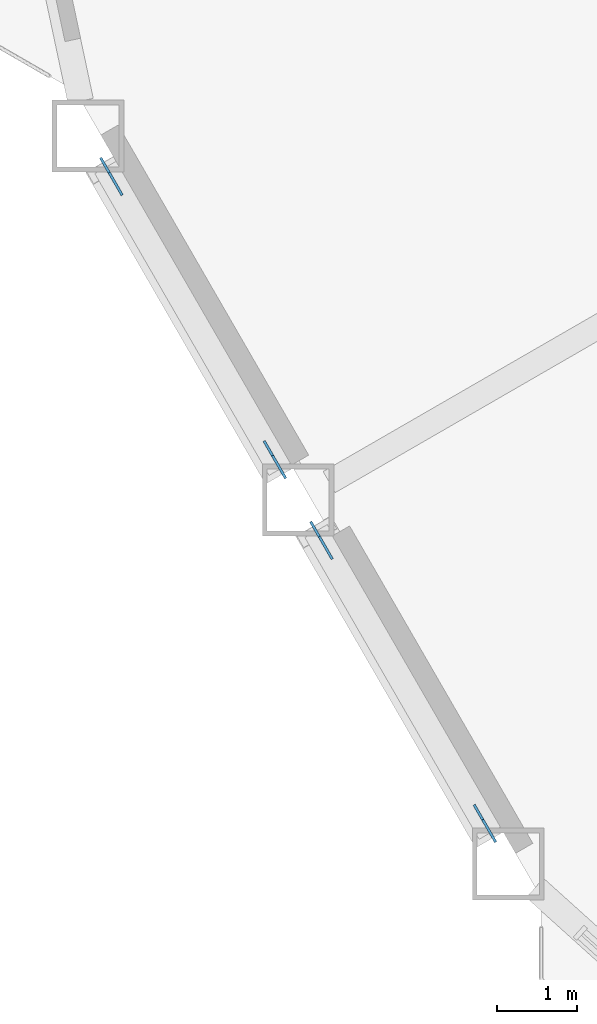
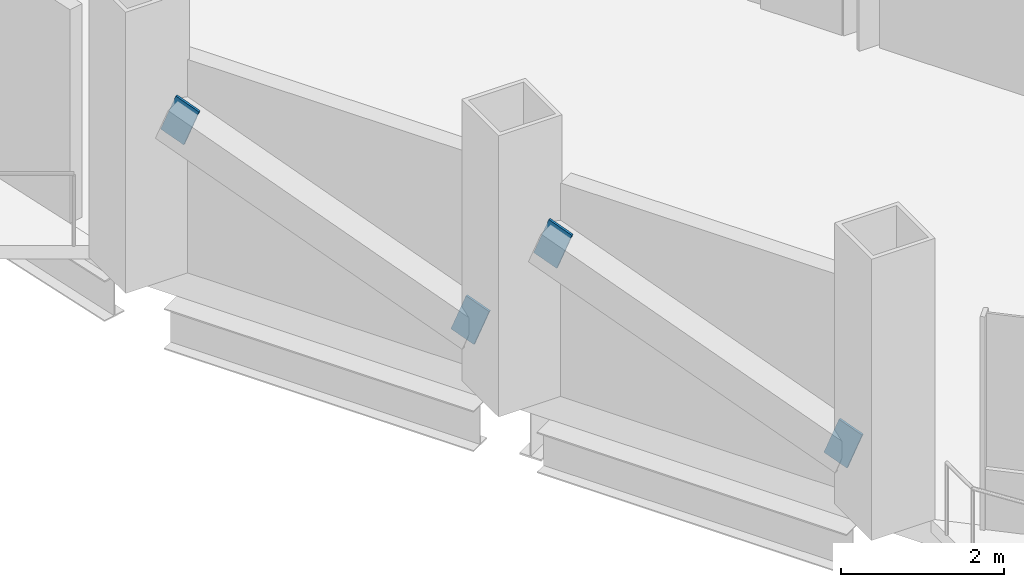
# One storey, part 14 of 21: 4 discrete accessories.
"""IFC4 building model written with IfcOpenShell, lengths in metres."""

import ifcopenshell
import ifcopenshell.guid

model = None  # the IFC model being written
_history = None  # IfcOwnerHistory: only IFC2X3 demands one
_inside = {}  # id of a spatial element -> (the spatial element, [elements in it])
_under = {}  # id of a project, library or spatial element -> (it, [spatial elements below it])
_declared = {}  # id of a project -> (the project, [libraries it declares])
_typed = {}  # id of a type object -> (the type object, [elements of that type])
_made_of = {}  # id of a material, layer set ... -> (it, [elements and type objects made of it])


def new_model(schema):
    """Start an empty IFC model of exactly this schema.

    Asked for "IFC4X3", IfcOpenShell would pick the latest addendum, in which some entities
    have other attributes; the version numbers below select the first issue.
    IFC2X3 requires an IfcOwnerHistory on every rooted entity: one is made here for all.
    """
    global model, _history
    if schema == "IFC4X3":
        model = ifcopenshell.file(schema_version=(4, 3, 0, 0))
    else:
        model = ifcopenshell.file(schema=schema)
    _inside.clear()
    _under.clear()
    _declared.clear()
    _typed.clear()
    _made_of.clear()
    _history = None
    if model.schema == "IFC2X3":
        org = make("IfcOrganization", Name="unknown")
        user = make(
            "IfcPersonAndOrganization",
            ThePerson=make("IfcPerson", FamilyName="unknown"),
            TheOrganization=org,
        )
        app = make(
            "IfcApplication",
            ApplicationDeveloper=org,
            Version="unknown",
            ApplicationFullName="unknown",
            ApplicationIdentifier="unknown",
        )
        _history = make(
            "IfcOwnerHistory",
            OwningUser=user,
            OwningApplication=app,
            ChangeAction="ADDED",
            CreationDate=0,
        )
    return model


def make(cls, **values):
    """One entity of the class cls with the attributes given. An attribute that is None is left unset."""
    return model.create_entity(
        cls, **{name: value for name, value in values.items() if value is not None}
    )


def rooted(cls, **values):
    """An entity with a GlobalId (a new one), such as an element, a storey or a relation."""
    return make(cls, GlobalId=ifcopenshell.guid.new(), OwnerHistory=_history, **values)


def si_unit(unit_type, name, prefix=None):
    """IfcSIUnit, for example si_unit("LENGTHUNIT", "METRE", prefix="MILLI")."""
    return make("IfcSIUnit", UnitType=unit_type, Prefix=prefix, Name=name)


def assignment(units):
    """IfcUnitAssignment: the units of a project."""
    return None if units is None else make("IfcUnitAssignment", Units=units)


def point(xyz):
    """IfcCartesianPoint."""
    return None if xyz is None else make("IfcCartesianPoint", Coordinates=xyz)


def direction(xyz):
    """IfcDirection."""
    return None if xyz is None else make("IfcDirection", DirectionRatios=xyz)


def frame(location, z_axis=None, x_axis=None):
    """IfcAxis2Placement3D, a coordinate frame: its origin and axes. An axis left out is left unset."""
    return make(
        "IfcAxis2Placement3D",
        Location=point(location),
        Axis=direction(z_axis),
        RefDirection=direction(x_axis),
    )


def frame_2d(location, x_axis=None):
    """IfcAxis2Placement2D, a coordinate frame in the plane: its origin and x axis."""
    return make(
        "IfcAxis2Placement2D", Location=point(location), RefDirection=direction(x_axis)
    )


def origin():
    """The frame at (0, 0, 0) with its axes left unset."""
    return frame((0.0, 0.0, 0.0))


def origin_2d():
    """The frame at (0, 0) in the plane with its x axis left unset."""
    return frame_2d((0.0, 0.0))


def place(relative_to, where):
    """IfcLocalPlacement: puts the frame where relative to a parent placement (None: the world)."""
    return make(
        "IfcLocalPlacement", PlacementRelTo=relative_to, RelativePlacement=where
    )


def context(
    kind, dimensions, precision=None, world=None, true_north=None, identifier=None
):
    """IfcGeometricRepresentationContext, for example the 3D "Model" context."""
    return make(
        "IfcGeometricRepresentationContext",
        ContextIdentifier=identifier,
        ContextType=kind,
        CoordinateSpaceDimension=dimensions,
        Precision=precision,
        WorldCoordinateSystem=world,
        TrueNorth=true_north,
    )


def subcontext(parent, identifier, kind, view, scale=None):
    """IfcGeometricRepresentationSubContext, for example "Body" below "Model"."""
    return make(
        "IfcGeometricRepresentationSubContext",
        ContextIdentifier=identifier,
        ContextType=kind,
        ParentContext=parent,
        TargetScale=scale,
        TargetView=view,
    )


def project(units=None, contexts=None):
    """IfcProject with its units and contexts."""
    return rooted(
        "IfcProject",
        Name="project",
        RepresentationContexts=contexts,
        UnitsInContext=assignment(units),
    )


def spatial(cls, under=None, at=None, **own):
    """A site, building, storey or space (cls), placed at a placement, below another one or the project."""
    s = rooted(cls, ObjectPlacement=at, **own)
    if under is not None:
        _under.setdefault(under.id(), (under, []))[1].append(s)
    return s


def profile(cls, at=None, kind="AREA", **sizes):
    """A parametric profile (cls). Its sizes go by their IFC names, for example OverallWidth=200.0."""
    return make(cls, ProfileType=kind, Position=at, **sizes)


def rectangle(**sizes):
    """IfcRectangleProfileDef."""
    return profile("IfcRectangleProfileDef", **sizes)


def extrude(swept, where, along, depth):
    """IfcExtrudedAreaSolid: the profile swept, set in the frame where, extruded along a direction by depth."""
    return make(
        "IfcExtrudedAreaSolid",
        SweptArea=swept,
        Position=where,
        ExtrudedDirection=direction(along),
        Depth=depth,
    )


def shape(context_of_items, identifier, shape_type, items):
    """IfcShapeRepresentation: the items that make up one representation, for example the "Body"."""
    return make(
        "IfcShapeRepresentation",
        ContextOfItems=context_of_items,
        RepresentationIdentifier=identifier,
        RepresentationType=shape_type,
        Items=items,
    )


def material(Name=None, Category=None):
    """IfcMaterial."""
    return make("IfcMaterial", Name=Name, Category=Category)


def material_profile(
    of_material, cross_section, Name=None, Category=None, Priority=None
):
    """IfcMaterialProfile: a cross section and its material."""
    return make(
        "IfcMaterialProfile",
        Name=Name,
        Material=of_material,
        Profile=cross_section,
        Priority=Priority,
        Category=Category,
    )


def profile_set(profiles, Name=None, composite=None):
    """IfcMaterialProfileSet."""
    return make(
        "IfcMaterialProfileSet",
        Name=Name,
        MaterialProfiles=profiles,
        CompositeProfile=composite,
    )


def made_of(thing, what):
    """Note that an element or type object is made of a material, layer set ...; save() writes the relation."""
    if what is not None:
        _made_of.setdefault(what.id(), (what, []))[1].append(thing)
    return thing


def type_object(cls, material=None, **own):
    """A type object (cls), such as IfcWallType, which elements share."""
    return made_of(rooted(cls, **own), material)


def element(
    cls,
    number,
    at=None,
    inside=None,
    cuts=None,
    type_object=None,
    material=None,
    context=None,
    identifier="Body",
    shape_type=None,
    held_by="IfcProductDefinitionShape",
    body=None,
    shapes=None,
    **own,
):
    """One element of the class cls, such as IfcWall. Its Tag is "e" and its number.

    at: its placement. inside: the storey or other place that contains it. cuts: it is an
    opening in that element (IfcRelVoidsElement). A single representation is given by context,
    identifier, shape_type and body (its items); several are given by shapes. held_by: the class
    of the entity that holds the representations. save() writes the other relations.
    """
    e = rooted(cls, Tag="e%d" % number, ObjectPlacement=at, **own)
    if body is not None:
        shapes = [shape(context, identifier, shape_type, body)]
    if shapes is not None:
        e.Representation = make(held_by, Representations=shapes)
    if inside is not None:
        _inside.setdefault(inside.id(), (inside, []))[1].append(e)
    if cuts is not None:
        rooted(
            "IfcRelVoidsElement", RelatingBuildingElement=cuts, RelatedOpeningElement=e
        )
    if type_object is not None:
        _typed.setdefault(type_object.id(), (type_object, []))[1].append(e)
    return made_of(e, material)


def aggregate(whole, parts):
    """IfcRelAggregates: a whole, such as a stair, and the parts it consists of."""
    return rooted("IfcRelAggregates", RelatingObject=whole, RelatedObjects=parts)


def save(model, path):
    """Write the relations noted so far, then the file.

    IfcRelAggregates (storeys below a building ...), IfcRelContainedInSpatialStructure (elements
    in a storey), IfcRelDefinesByType, IfcRelAssociatesMaterial and IfcRelDeclares: one each for
    every whole, place, type object, material and project.
    """
    for whole, parts in _under.values():
        aggregate(whole, parts)
    for where, things in _inside.values():
        rooted(
            "IfcRelContainedInSpatialStructure",
            RelatedElements=things,
            RelatingStructure=where,
        )
    for kind, things in _typed.values():
        rooted("IfcRelDefinesByType", RelatedObjects=things, RelatingType=kind)
    for what, things in _made_of.values():
        rooted("IfcRelAssociatesMaterial", RelatedObjects=things, RelatingMaterial=what)
    for by, libraries in _declared.values():
        rooted("IfcRelDeclares", RelatingContext=by, RelatedDefinitions=libraries)
    model.write(path)


model = new_model("IFC4")

# Units and contexts
model_context = context("Model", 3, precision=1e-05, world=origin(), true_north=direction((0.0, 1.0)))
body_context = subcontext(model_context, "Body", "Model", "MODEL_VIEW")
ifc_project = project(units=[si_unit("LENGTHUNIT", "METRE"), si_unit("AREAUNIT", "SQUARE_METRE"), si_unit("VOLUMEUNIT", "CUBIC_METRE"), si_unit("PLANEANGLEUNIT", "RADIAN"), si_unit("MASSUNIT", "GRAM", prefix="KILO")], contexts=[model_context])

# Site, building, storey
site_placement = place(None, origin())
site = spatial("IfcSite", under=ifc_project, at=site_placement, CompositionType="ELEMENT")
building_placement = place(site_placement, origin())
building = spatial("IfcBuilding", under=site, at=building_placement, Name="Cormorant Prow Tower", CompositionType="ELEMENT")
storey_placement = place(building_placement, frame((0.0, 0.0, 120.60009765625)))
storey = spatial("IfcBuildingStorey", under=building, at=storey_placement, Name="L25", CompositionType="ELEMENT", Elevation=120.60009765625)

# Discrete accessories
ifc_material = material(Name="Structural steel ASTM A500 Gr C", Category="steel")
ifc_material_profile = material_profile(ifc_material, rectangle(XDim=0.031982421875, YDim=0.60791015625, at=origin_2d()), Name="Gusset plate 32x608")
ifc_profile_set = profile_set([ifc_material_profile], Name="Structural steel ASTM A500 Gr C")
discrete_accessory_type = type_object("IfcDiscreteAccessoryType", Name="Gusset plate 32x608", PredefinedType="BRACKET", material=ifc_profile_set)
for number, where, z_axis, x_axis, name in (
    (1, (-28.5087890625, -15.59521484375, 0.88232421875), (0.467903125124, -0.810288273314, -0.352844979601), (0.865987003449, 0.500066505434, 0.0), "Gusset plate GP1 L25.WSW00.g0"),
    (2, (-30.39501953125, -12.328125, 2.306396484375), (-0.467903125124, 0.810288273314, 0.352844979601), (-0.865987003449, -0.500066505434, 0.0), "Gusset plate GP1 L25.WSW00.g1"),
    (3, (-25.8740234375, -20.158935546875, 0.88232421875), (0.467903125124, -0.810288273314, -0.352844979601), (0.865987003449, 0.500066505434, 0.0), "Gusset plate GP1 L25.WSW01.g0"),
):
    element("IfcDiscreteAccessory", number, at=place(storey_placement, frame(where, z_axis=z_axis, x_axis=x_axis)), inside=storey, type_object=discrete_accessory_type, Name=name, PredefinedType="BRACKET", context=body_context, shape_type="SweptSolid", body=[
        extrude(rectangle(XDim=0.031982421875, YDim=0.60791015625, at=origin_2d()), origin(), (0.0, 0.0, 1.0), 0.35009765625),
    ])
discrete_accessory_placement = place(storey_placement, frame((-27.76025390625, -16.8916015625, 2.306396484375), z_axis=(-0.468167615655, 0.810048586848, 0.353044431477), x_axis=(-0.865800459427, -0.500389412813, 0.0)))
element("IfcDiscreteAccessory", 4, at=discrete_accessory_placement, inside=storey, type_object=discrete_accessory_type, Name="Gusset plate GP1 L25.WSW01.g1", PredefinedType="BRACKET", context=body_context, shape_type="SweptSolid", body=[
    extrude(rectangle(XDim=0.031982421875, YDim=0.60791015625, at=origin_2d()), origin(), (0.0, 0.0, 1.0), 0.349853515625),
])

save(model, "model.ifc")
